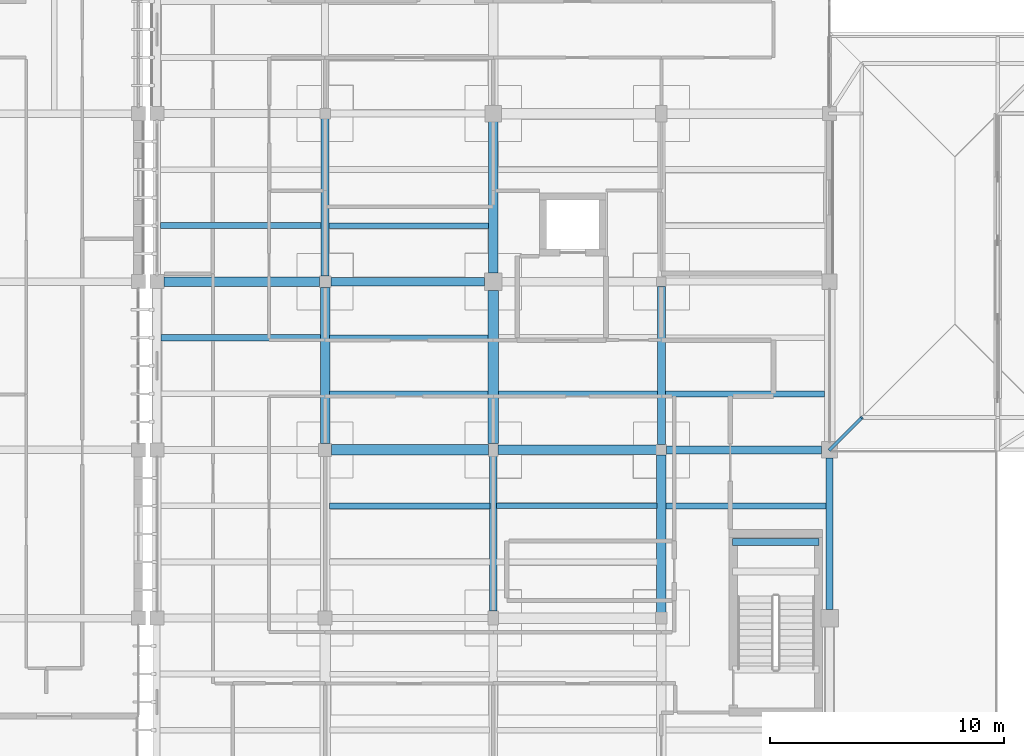
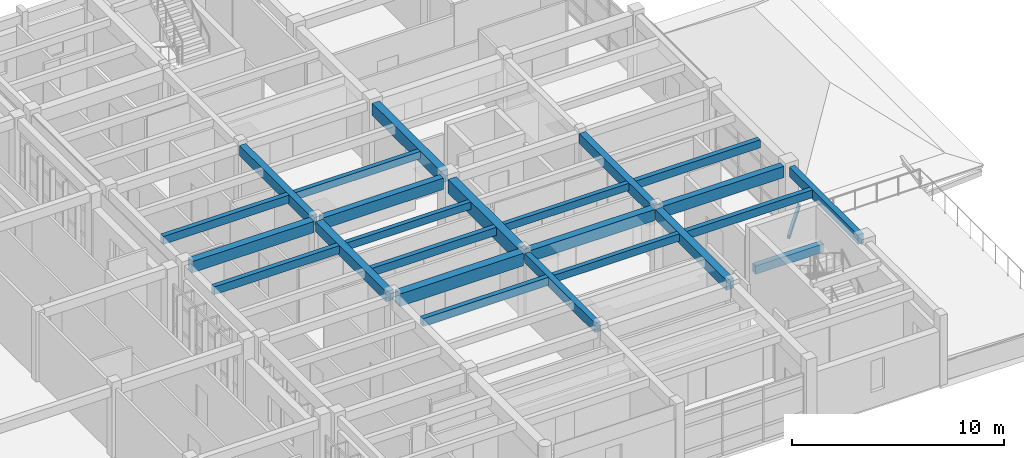
# One storey, part 12 of 55: 24 beams, 1 member.
"""IFC4 building model written with IfcOpenShell, lengths in metres."""

from ifc_helpers import new_model, si_unit, direction, frame, origin, origin_2d, place, context, subcontext, project, spatial, rectangle, extrude, material, material_profile, profile_set, type_object, element, save


model = new_model("IFC4")

# Units and contexts
model_context = context("Model", 3, precision=1e-05, world=origin(), true_north=direction((0.0, 1.0)))
body_context = subcontext(model_context, "Body", "Model", "MODEL_VIEW")
ifc_project = project(units=[si_unit("LENGTHUNIT", "METRE"), si_unit("AREAUNIT", "SQUARE_METRE"), si_unit("VOLUMEUNIT", "CUBIC_METRE"), si_unit("PLANEANGLEUNIT", "RADIAN"), si_unit("MASSUNIT", "GRAM", prefix="KILO")], contexts=[model_context])

# Site, building, storey
site_placement = place(None, origin())
site = spatial("IfcSite", under=ifc_project, at=site_placement, CompositionType="ELEMENT")
building_placement = place(site_placement, origin())
building = spatial("IfcBuilding", under=site, at=building_placement, Name="Steenspoor Specialist Clinic", CompositionType="ELEMENT")
storey_placement = place(building_placement, frame((0.0, 0.0, 13.199951171875)))
storey = spatial("IfcBuildingStorey", under=building, at=storey_placement, Name="L03", CompositionType="ELEMENT", Elevation=13.199951171875)

# Beams
ifc_material_1 = material(Name="Concrete C35/45", Category="concrete")
ifc_material_profile_1 = material_profile(ifc_material_1, rectangle(XDim=0.300048828125, YDim=0.47998046875, at=origin_2d()), Name="RC-BM-300X480")
ifc_profile_set_1 = profile_set([ifc_material_profile_1], Name="Concrete C35/45")
beam_type_1 = type_object("IfcBeamType", Name="BM-RC-300X480", PredefinedType="BEAM", material=ifc_profile_set_1)
beam_1_placement = place(storey_placement, frame((142.64990234375, 75.60009765625, 1.66015625), z_axis=(1.0, 0.0, 0.0), x_axis=(0.0, 1.0, 0.0)))
element("IfcBeam", 1, at=beam_1_placement, inside=storey, type_object=beam_type_1, Name="Stair Mid-Landing Bearer 2 ST-V6B L03", PredefinedType="BEAM", context=body_context, shape_type="SweptSolid", body=[
    extrude(rectangle(XDim=0.300048828125, YDim=0.47998046875, at=origin_2d()), origin(), (0.0, 0.0, 1.0), 3.7001953125),
])
ifc_material_profile_2 = material_profile(ifc_material_1, rectangle(XDim=0.300048828125, YDim=0.550048828125, at=origin_2d()), Name="RC-BM-300X550")
ifc_profile_set_2 = profile_set([ifc_material_profile_2], Name="Concrete C35/45")
beam_type_2 = type_object("IfcBeamType", Name="BM-RC-300X550", PredefinedType="BEAM", material=ifc_profile_set_2)
beam_2_placement = place(storey_placement, frame((132.39990234375, 72.64501953125, 3.675048828125), z_axis=(0.0, 1.0, 0.0), x_axis=(-1.0, 0.0, 0.0)))
element("IfcBeam", 2, at=beam_2_placement, inside=storey, type_object=beam_type_2, Name="BM-V6-L03-Y1737", PredefinedType="BEAM", context=body_context, shape_type="SweptSolid", body=[
    extrude(rectangle(XDim=0.300048828125, YDim=0.550048828125, at=origin_2d()), origin(), (0.0, 0.0, 1.0), 6.635009765625),
])
beam_3_placement = place(storey_placement, frame((146.800048828125, 72.719970703125, 3.675048828125), z_axis=(0.0, 1.0, 0.0), x_axis=(-1.0, 0.0, 0.0)))
element("IfcBeam", 3, at=beam_3_placement, inside=storey, type_object=beam_type_2, Name="BM-V6-L03-Y1747", PredefinedType="BEAM", context=body_context, shape_type="SweptSolid", body=[
    extrude(rectangle(XDim=0.300048828125, YDim=0.550048828125, at=origin_2d()), origin(), (0.0, 0.0, 1.0), 6.485107421875),
])
ifc_material_profile_3 = material_profile(ifc_material_1, rectangle(XDim=0.35009765625, YDim=0.580078125, at=origin_2d()), Name="RC-BM-350X580")
ifc_profile_set_3 = profile_set([ifc_material_profile_3], Name="Concrete C35/45")
beam_type_3 = type_object("IfcBeamType", Name="BM-RC-350X580", PredefinedType="BEAM", material=ifc_profile_set_3)
beam_4_placement = place(storey_placement, frame((125.199951171875, 86.9951171875, 3.66015625), z_axis=(0.0, 1.0, 0.0), x_axis=(-1.0, 0.0, 0.0)))
element("IfcBeam", 4, at=beam_4_placement, inside=storey, type_object=beam_type_3, Name="BM-V6-L03-Y1733", PredefinedType="BEAM", context=body_context, shape_type="SweptSolid", body=[
    extrude(rectangle(XDim=0.35009765625, YDim=0.580078125, at=origin_2d()), origin(), (0.0, 0.0, 1.0), 6.73486328125),
])
beam_5_placement = place(storey_placement, frame((139.60009765625, 79.77001953125, 3.66015625), z_axis=(0.0, 1.0, 0.0), x_axis=(-1.0, 0.0, 0.0)))
element("IfcBeam", 5, at=beam_5_placement, inside=storey, type_object=beam_type_3, Name="BM-V6-L03-Y1744", PredefinedType="BEAM", context=body_context, shape_type="SweptSolid", body=[
    extrude(rectangle(XDim=0.35009765625, YDim=0.580078125, at=origin_2d()), origin(), (0.0, 0.0, 1.0), 6.784912109375),
])
ifc_material_profile_4 = material_profile(ifc_material_1, rectangle(XDim=0.35009765625, YDim=0.64990234375, at=origin_2d()), Name="RC-BM-350X650")
ifc_profile_set_4 = profile_set([ifc_material_profile_4], Name="Concrete C35/45")
beam_type_4 = type_object("IfcBeamType", Name="BM-RC-350X650", PredefinedType="BEAM", material=ifc_profile_set_4)
beam_6_placement = place(storey_placement, frame((139.820068359375, 79.550048828125, 3.625), z_axis=(1.0, 0.0, 0.0), x_axis=(0.0, 1.0, 0.0)))
element("IfcBeam", 6, at=beam_6_placement, inside=storey, type_object=beam_type_4, Name="BM-V6-L03-X1712", PredefinedType="BEAM", context=body_context, shape_type="SweptSolid", body=[
    extrude(rectangle(XDim=0.35009765625, YDim=0.64990234375, at=origin_2d()), origin(), (0.0, 0.0, 1.0), 6.635009765625),
])
beam_7_placement = place(storey_placement, frame((125.445068359375, 86.75, 3.625), z_axis=(1.0, 0.0, 0.0), x_axis=(0.0, 1.0, 0.0)))
element("IfcBeam", 7, at=beam_7_placement, inside=storey, type_object=beam_type_4, Name="BM-V6-L03-X1714", PredefinedType="BEAM", context=body_context, shape_type="SweptSolid", body=[
    extrude(rectangle(XDim=0.35009765625, YDim=0.64990234375, at=origin_2d()), origin(), (0.0, 0.0, 1.0), 6.5849609375),
])
ifc_material_profile_5 = material_profile(ifc_material_1, rectangle(XDim=0.39990234375, YDim=0.580078125, at=origin_2d()), Name="RC-BM-400X580")
ifc_profile_set_5 = profile_set([ifc_material_profile_5], Name="Concrete C35/45")
beam_type_5 = type_object("IfcBeamType", Name="BM-RC-400X580", PredefinedType="BEAM", material=ifc_profile_set_5)
beam_8_placement = place(storey_placement, frame((125.199951171875, 79.820068359375, 3.66015625), z_axis=(0.0, 1.0, 0.0), x_axis=(-1.0, 0.0, 0.0)))
element("IfcBeam", 8, at=beam_8_placement, inside=storey, type_object=beam_type_5, Name="BM-V6-L03-Y1732", PredefinedType="BEAM", context=body_context, shape_type="SweptSolid", body=[
    extrude(rectangle(XDim=0.39990234375, YDim=0.580078125, at=origin_2d()), origin(), (0.0, 0.0, 1.0), 6.684814453125),
])
beam_9_placement = place(storey_placement, frame((139.60009765625, 72.594970703125, 3.66015625), z_axis=(0.0, 1.0, 0.0), x_axis=(-1.0, 0.0, 0.0)))
element("IfcBeam", 9, at=beam_9_placement, inside=storey, type_object=beam_type_5, Name="BM-V6-L03-Y1743", PredefinedType="BEAM", context=body_context, shape_type="SweptSolid", body=[
    extrude(rectangle(XDim=0.39990234375, YDim=0.580078125, at=origin_2d()), origin(), (0.0, 0.0, 1.0), 6.735107421875),
])
ifc_material_profile_6 = material_profile(ifc_material_1, rectangle(XDim=0.39990234375, YDim=0.64990234375, at=origin_2d()), Name="RC-BM-400X650")
ifc_profile_set_6 = profile_set([ifc_material_profile_6], Name="Concrete C35/45")
beam_type_6 = type_object("IfcBeamType", Name="BM-RC-400X650", PredefinedType="BEAM", material=ifc_profile_set_6)
beam_10_placement = place(storey_placement, frame((132.594970703125, 79.550048828125, 3.625), z_axis=(1.0, 0.0, 0.0), x_axis=(0.0, 1.0, 0.0)))
element("IfcBeam", 10, at=beam_10_placement, inside=storey, type_object=beam_type_6, Name="BM-V6-L03-X1711", PredefinedType="BEAM", context=body_context, shape_type="SweptSolid", body=[
    extrude(rectangle(XDim=0.39990234375, YDim=0.64990234375, at=origin_2d()), origin(), (0.0, 0.0, 1.0), 6.784912109375),
])
beam_11_placement = place(storey_placement, frame((118.294921875, 86.75, 3.625), z_axis=(1.0, 0.0, 0.0), x_axis=(0.0, 1.0, 0.0)))
element("IfcBeam", 11, at=beam_11_placement, inside=storey, type_object=beam_type_6, Name="BM-V6-L03-X1713", PredefinedType="BEAM", context=body_context, shape_type="SweptSolid", body=[
    extrude(rectangle(XDim=0.39990234375, YDim=0.64990234375, at=origin_2d()), origin(), (0.0, 0.0, 1.0), 6.66015625),
])
ifc_material_profile_7 = material_profile(ifc_material_1, rectangle(XDim=0.39990234375, YDim=0.699951171875, at=origin_2d()), Name="RC-BM-400X700")
ifc_profile_set_7 = profile_set([ifc_material_profile_7], Name="Concrete C35/45")
beam_type_7 = type_object("IfcBeamType", Name="BM-RC-400X700", PredefinedType="BEAM", material=ifc_profile_set_7)
beam_12_placement = place(storey_placement, frame((132.39990234375, 87.1201171875, 3.60009765625), z_axis=(0.0, 1.0, 0.0), x_axis=(-1.0, 0.0, 0.0)))
element("IfcBeam", 12, at=beam_12_placement, inside=storey, type_object=beam_type_7, Name="BM-V6-L03-Y1739", PredefinedType="BEAM", context=body_context, shape_type="SweptSolid", body=[
    extrude(rectangle(XDim=0.39990234375, YDim=0.699951171875, at=origin_2d()), origin(), (0.0, 0.0, 1.0), 6.48486328125),
])
ifc_material_profile_8 = material_profile(ifc_material_1, rectangle(XDim=0.449951171875, YDim=0.719970703125, at=origin_2d()), Name="RC-BM-450X720")
ifc_profile_set_8 = profile_set([ifc_material_profile_8], Name="Concrete C35/45")
beam_type_8 = type_object("IfcBeamType", Name="BM-RC-450X720", PredefinedType="BEAM", material=ifc_profile_set_8)
beam_13_placement = place(storey_placement, frame((125.469970703125, 79.550048828125, 3.590087890625), z_axis=(1.0, 0.0, 0.0), x_axis=(0.0, 1.0, 0.0)))
element("IfcBeam", 13, at=beam_13_placement, inside=storey, type_object=beam_type_8, Name="BM-V6-L03-X1710", PredefinedType="BEAM", context=body_context, shape_type="SweptSolid", body=[
    extrude(rectangle(XDim=0.449951171875, YDim=0.719970703125, at=origin_2d()), origin(), (0.0, 0.0, 1.0), 6.735107421875),
])
ifc_material_profile_9 = material_profile(ifc_material_1, rectangle(XDim=0.449951171875, YDim=0.800048828125, at=origin_2d()), Name="RC-BM-450X800")
ifc_profile_set_9 = profile_set([ifc_material_profile_9], Name="Concrete C35/45")
beam_type_9 = type_object("IfcBeamType", Name="BM-RC-450X800", PredefinedType="BEAM", material=ifc_profile_set_9)
beam_14_placement = place(storey_placement, frame((132.39990234375, 79.820068359375, 3.550048828125), z_axis=(0.0, 1.0, 0.0), x_axis=(-1.0, 0.0, 0.0)))
element("IfcBeam", 14, at=beam_14_placement, inside=storey, type_object=beam_type_9, Name="BM-V6-L03-Y1738", PredefinedType="BEAM", context=body_context, shape_type="SweptSolid", body=[
    extrude(rectangle(XDim=0.449951171875, YDim=0.800048828125, at=origin_2d()), origin(), (0.0, 0.0, 1.0), 6.559814453125),
])
ifc_material_profile_10 = material_profile(ifc_material_1, rectangle(XDim=0.239990234375, YDim=0.419921875, at=origin_2d()), Name="RC-JT-240X420")
ifc_profile_set_10 = profile_set([ifc_material_profile_10], Name="Concrete C35/45")
beam_type_10 = type_object("IfcBeamType", Name="JT-RC-240X420", PredefinedType="JOIST", material=ifc_profile_set_10)
beam_15_placement = place(storey_placement, frame((125.39501953125, 84.35009765625, 3.739990234375), z_axis=(1.0, 0.0, 0.0), x_axis=(0.0, 1.0, 0.0)))
element("IfcBeam", 15, at=beam_15_placement, inside=storey, type_object=beam_type_10, Name="JT-V6-L03-1767", PredefinedType="JOIST", context=body_context, shape_type="SweptSolid", body=[
    extrude(rectangle(XDim=0.239990234375, YDim=0.419921875, at=origin_2d()), origin(), (0.0, 0.0, 1.0), 6.784912109375),
])
beam_16_placement = place(storey_placement, frame((125.3701171875, 89.14990234375, 3.739990234375), z_axis=(1.0, 0.0, 0.0), x_axis=(0.0, 1.0, 0.0)))
element("IfcBeam", 16, at=beam_16_placement, inside=storey, type_object=beam_type_10, Name="JT-V6-L03-1768", PredefinedType="JOIST", context=body_context, shape_type="SweptSolid", body=[
    extrude(rectangle(XDim=0.239990234375, YDim=0.419921875, at=origin_2d()), origin(), (0.0, 0.0, 1.0), 6.8349609375),
])
beam_17_placement = place(storey_placement, frame((132.544921875, 77.14990234375, 3.739990234375), z_axis=(1.0, 0.0, 0.0), x_axis=(0.0, 1.0, 0.0)))
element("IfcBeam", 17, at=beam_17_placement, inside=storey, type_object=beam_type_10, Name="JT-V6-L03-1775", PredefinedType="JOIST", context=body_context, shape_type="SweptSolid", body=[
    extrude(rectangle(XDim=0.239990234375, YDim=0.419921875, at=origin_2d()), origin(), (0.0, 0.0, 1.0), 6.860107421875),
])
beam_18_placement = place(storey_placement, frame((132.6201171875, 81.949951171875, 3.739990234375), z_axis=(1.0, 0.0, 0.0), x_axis=(0.0, 1.0, 0.0)))
element("IfcBeam", 18, at=beam_18_placement, inside=storey, type_object=beam_type_10, Name="JT-V6-L03-1776", PredefinedType="JOIST", context=body_context, shape_type="SweptSolid", body=[
    extrude(rectangle(XDim=0.239990234375, YDim=0.419921875, at=origin_2d()), origin(), (0.0, 0.0, 1.0), 6.809814453125),
])
ifc_material_profile_11 = material_profile(ifc_material_1, rectangle(XDim=0.260009765625, YDim=0.4599609375, at=origin_2d()), Name="RC-JT-260X460")
ifc_profile_set_11 = profile_set([ifc_material_profile_11], Name="Concrete C35/45")
beam_type_11 = type_object("IfcBeamType", Name="JT-RC-260X460", PredefinedType="JOIST", material=ifc_profile_set_11)
beam_19_placement = place(storey_placement, frame((118.175048828125, 84.35009765625, 3.719970703125), z_axis=(1.0, 0.0, 0.0), x_axis=(0.0, 1.0, 0.0)))
element("IfcBeam", 19, at=beam_19_placement, inside=storey, type_object=beam_type_11, Name="JT-V6-L03-1755", PredefinedType="JOIST", context=body_context, shape_type="SweptSolid", body=[
    extrude(rectangle(XDim=0.260009765625, YDim=0.4599609375, at=origin_2d()), origin(), (0.0, 0.0, 1.0), 6.829833984375),
])
beam_20_placement = place(storey_placement, frame((118.155029296875, 89.14990234375, 3.719970703125), z_axis=(1.0, 0.0, 0.0), x_axis=(0.0, 1.0, 0.0)))
element("IfcBeam", 20, at=beam_20_placement, inside=storey, type_object=beam_type_11, Name="JT-V6-L03-1756", PredefinedType="JOIST", context=body_context, shape_type="SweptSolid", body=[
    extrude(rectangle(XDim=0.260009765625, YDim=0.4599609375, at=origin_2d()), origin(), (0.0, 0.0, 1.0), 6.875),
])
beam_21_placement = place(storey_placement, frame((125.39501953125, 77.14990234375, 3.719970703125), z_axis=(1.0, 0.0, 0.0), x_axis=(0.0, 1.0, 0.0)))
element("IfcBeam", 21, at=beam_21_placement, inside=storey, type_object=beam_type_11, Name="JT-V6-L03-1765", PredefinedType="JOIST", context=body_context, shape_type="SweptSolid", body=[
    extrude(rectangle(XDim=0.260009765625, YDim=0.4599609375, at=origin_2d()), origin(), (0.0, 0.0, 1.0), 6.85986328125),
])
beam_22_placement = place(storey_placement, frame((125.39501953125, 81.949951171875, 3.719970703125), z_axis=(1.0, 0.0, 0.0), x_axis=(0.0, 1.0, 0.0)))
element("IfcBeam", 22, at=beam_22_placement, inside=storey, type_object=beam_type_11, Name="JT-V6-L03-1766", PredefinedType="JOIST", context=body_context, shape_type="SweptSolid", body=[
    extrude(rectangle(XDim=0.260009765625, YDim=0.4599609375, at=origin_2d()), origin(), (0.0, 0.0, 1.0), 6.784912109375),
])
beam_23_placement = place(storey_placement, frame((139.794921875, 77.14990234375, 3.719970703125), z_axis=(1.0, 0.0, 0.0), x_axis=(0.0, 1.0, 0.0)))
element("IfcBeam", 23, at=beam_23_placement, inside=storey, type_object=beam_type_11, Name="JT-V6-L03-1780", PredefinedType="JOIST", context=body_context, shape_type="SweptSolid", body=[
    extrude(rectangle(XDim=0.260009765625, YDim=0.4599609375, at=origin_2d()), origin(), (0.0, 0.0, 1.0), 6.860107421875),
])
beam_24_placement = place(storey_placement, frame((139.77001953125, 81.949951171875, 3.719970703125), z_axis=(1.0, 0.0, 0.0), x_axis=(0.0, 1.0, 0.0)))
element("IfcBeam", 24, at=beam_24_placement, inside=storey, type_object=beam_type_11, Name="JT-V6-L03-1781", PredefinedType="JOIST", context=body_context, shape_type="SweptSolid", body=[
    extrude(rectangle(XDim=0.260009765625, YDim=0.4599609375, at=origin_2d()), origin(), (0.0, 0.0, 1.0), 6.81005859375),
])

# Member
ifc_material_2 = material(Name="Glulam GL28h", Category="wood")
ifc_material_profile_12 = material_profile(ifc_material_2, rectangle(XDim=0.139892578125, YDim=0.219970703125, at=origin_2d()), Name="GL28H-140X220")
ifc_profile_set_12 = profile_set([ifc_material_profile_12], Name="Glulam GL28h")
member_type = type_object("IfcMemberType", Name="MEM-RAFTER-GL220", PredefinedType="RAFTER", material=ifc_profile_set_12)
member_placement = place(storey_placement, frame((146.800048828125, 79.550048828125, -0.3759765625), z_axis=(0.680342439157, 0.680342439157, 0.272522166004), x_axis=(-0.707106781187, 0.707106781187, 0.0)))
element("IfcMember", 25, at=member_placement, inside=storey, type_object=member_type, Name="ROOF TRUSS Corner Knuckle Rafter V6T2 330", PredefinedType="RAFTER", context=body_context, shape_type="SweptSolid", body=[
    extrude(rectangle(XDim=0.139892578125, YDim=0.219970703125, at=origin_2d()), origin(), (0.0, 0.0, 1.0), 2.0283203125),
])

save(model, "model.ifc")
